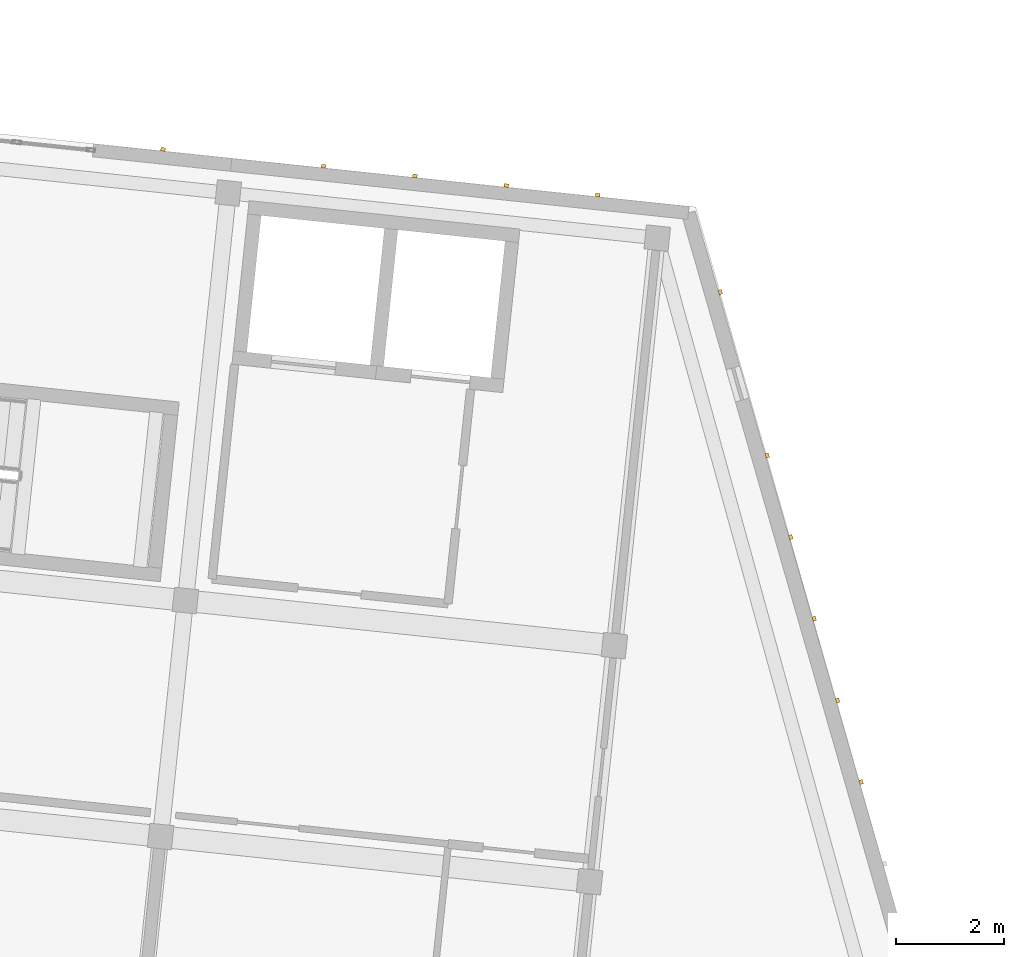
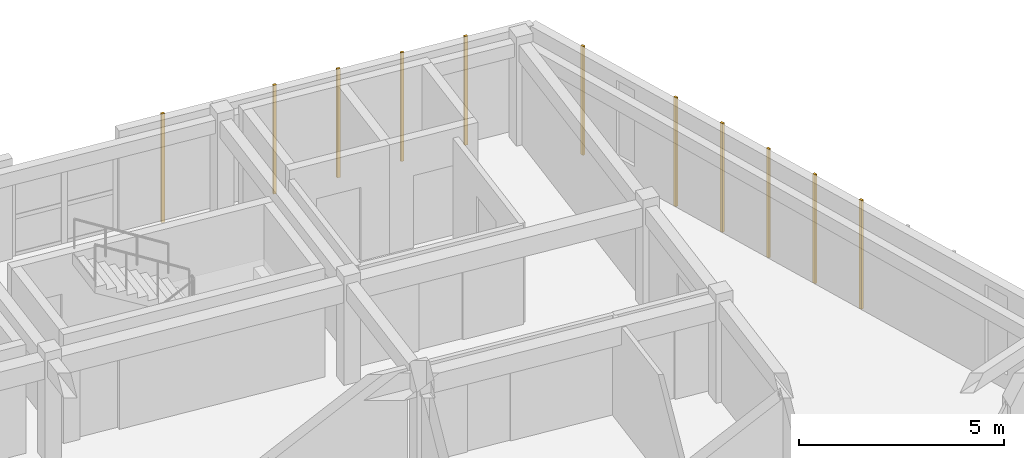
# One storey, part 64 of 64: 11 coverings.
"""IFC4 building model written with IfcOpenShell, lengths in metres."""

from ifc_helpers import new_model, si_unit, direction, frame, origin, origin_2d, place, context, subcontext, project, spatial, rectangle, extrude, material, layer, layer_set, type_object, element, save


model = new_model("IFC4")

# Units and contexts
model_context = context("Model", 3, precision=1e-05, world=origin(), true_north=direction((0.0, 1.0)))
body_context = subcontext(model_context, "Body", "Model", "MODEL_VIEW")
ifc_project = project(units=[si_unit("LENGTHUNIT", "METRE"), si_unit("AREAUNIT", "SQUARE_METRE"), si_unit("VOLUMEUNIT", "CUBIC_METRE"), si_unit("PLANEANGLEUNIT", "RADIAN"), si_unit("MASSUNIT", "GRAM", prefix="KILO")], contexts=[model_context])

# Site, building, storey
site_placement = place(None, origin())
site = spatial("IfcSite", under=ifc_project, at=site_placement, CompositionType="ELEMENT")
building_placement = place(site_placement, origin())
building = spatial("IfcBuilding", under=site, at=building_placement, Name="Kestramere Prow Commons", CompositionType="ELEMENT")
storey_placement = place(building_placement, frame((0.0, 0.0, 24.64990234375)))
storey = spatial("IfcBuildingStorey", under=building, at=storey_placement, Name="L07", CompositionType="ELEMENT", Elevation=24.64990234375)

# Coverings
ifc_material = material(Name="Weathered Zinc-Titanium Standing-Seam Cladding")
ifc_layer = layer(ifc_material, 0.074951171875)
ifc_layer_set = layer_set([ifc_layer], Name="Weathered Zinc-Titanium Standing-Seam Cladding")
covering_type = type_object("IfcCoveringType", Name="COV-CLAD-SEAM", PredefinedType="CLADDING", material=ifc_layer_set)
for number, where, z_axis, x_axis, name in (
    (1, (150.6201171875, 110.919921875, -0.25), (0.0, 0.0, 1.0), (0.994521895368, -0.104528463268, 0.0), "EW-B-L07-NP-4-R Standing-Seam Rib 1"),
    (2, (153.59619140625, 110.607177734375, -0.25), (0.0, 0.0, 1.0), (0.994521895368, -0.104528463268, 0.0), "EW-B-L07-N-5 Standing-Seam Rib 1"),
    (3, (155.291748046875, 110.428955078125, -0.25), (0.0, 0.0, 1.0), (0.994521895368, -0.104528463268, 0.0), "EW-B-L07-N-5 Standing-Seam Rib 2"),
    (4, (156.987548828125, 110.250732421875, -0.25), (0.0, 0.0, 1.0), (0.994521895368, -0.104528463268, 0.0), "EW-B-L07-N-5 Standing-Seam Rib 3"),
    (5, (158.68310546875, 110.072509765625, -0.25), (0.0, 0.0, 1.0), (0.994521895368, -0.104528463268, 0.0), "EW-B-L07-N-5 Standing-Seam Rib 4"),
    (6, (160.954345703125, 108.273193359375, -0.25), (0.0, 0.0, 1.0), (0.27631844013, -0.961066136977, 0.0), "EW-B-L07-PRW-N Standing-Seam Rib 1"),
    (7, (161.824951171875, 105.24462890625, -0.25), (0.0, 0.0, 1.0), (0.27631844013, -0.961066136977, 0.0), "EW-B-L07-PRW-N Standing-Seam Rib 3"),
    (8, (162.260498046875, 103.73046875, -0.25), (0.0, 0.0, 1.0), (0.27631844013, -0.961066136977, 0.0), "EW-B-L07-PRW-N Standing-Seam Rib 4"),
    (9, (162.69580078125, 102.21630859375, -0.25), (0.0, 0.0, 1.0), (0.27631844013, -0.961066136977, 0.0), "EW-B-L07-PRW-N Standing-Seam Rib 5"),
    (10, (163.131103515625, 100.7021484375, -0.25), (0.0, 0.0, 1.0), (0.27631844013, -0.961066136977, 0.0), "EW-B-L07-PRW-N Standing-Seam Rib 6"),
    (11, (163.56640625, 99.18798828125, -0.25), (0.0, 0.0, 1.0), (0.27631844013, -0.961066136977, 0.0), "EW-B-L07-PRW-N Standing-Seam Rib 7"),
):
    element("IfcCovering", number, at=place(storey_placement, frame(where, z_axis=z_axis, x_axis=x_axis)), inside=storey, type_object=covering_type, Name=name, PredefinedType="CLADDING", context=body_context, shape_type="SweptSolid", body=[
        extrude(rectangle(XDim=0.0849609375, YDim=0.06494140625, at=origin_2d()), origin(), (0.0, 0.0, 1.0), 3.25),
    ])

save(model, "model.ifc")
